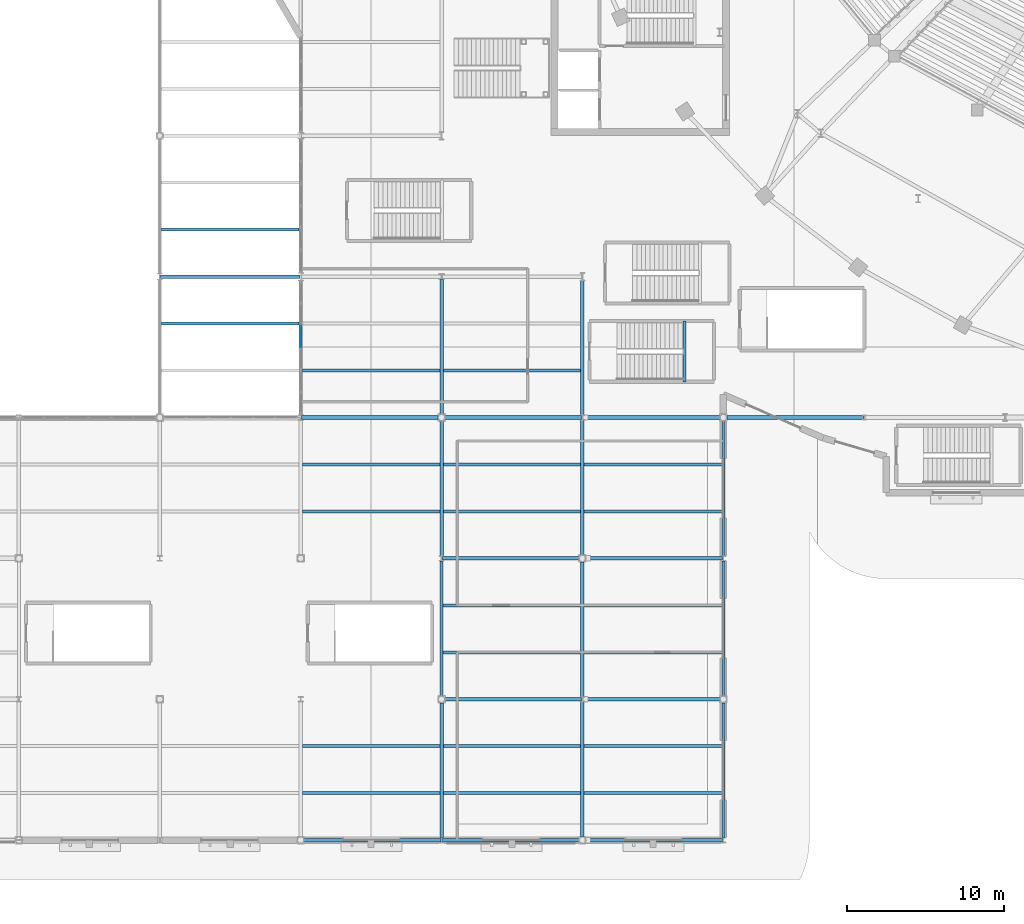
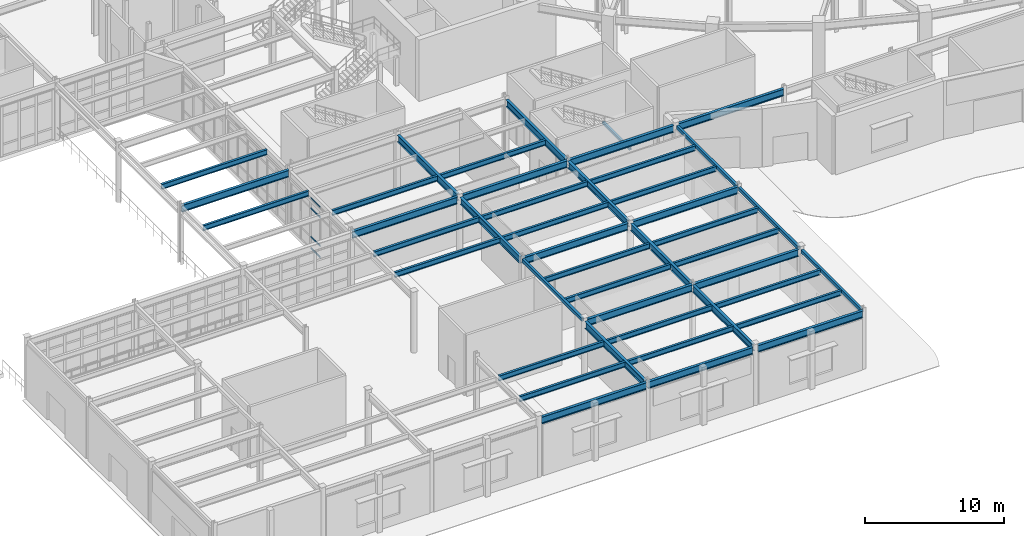
# One storey, part 27 of 79: 44 beams, 4 members, 1 element without a shape of its own.
"""IFC4 building model written with IfcOpenShell, lengths in metres."""

from ifc_helpers import new_model, si_unit, direction, frame, origin, origin_2d, place, context, subcontext, project, spatial, rectangle, hollow_rectangle, i_section, extrude, material, material_profile, profile_set, type_object, element, aggregate, save


model = new_model("IFC4")

# Units and contexts
model_context = context("Model", 3, precision=1e-05, world=origin(), true_north=direction((0.0, 1.0)))
body_context = subcontext(model_context, "Body", "Model", "MODEL_VIEW")
ifc_project = project(units=[si_unit("LENGTHUNIT", "METRE"), si_unit("AREAUNIT", "SQUARE_METRE"), si_unit("VOLUMEUNIT", "CUBIC_METRE"), si_unit("PLANEANGLEUNIT", "RADIAN"), si_unit("MASSUNIT", "GRAM", prefix="KILO")], contexts=[model_context])

# Site, building, storey
site_placement = place(None, origin())
site = spatial("IfcSite", under=ifc_project, at=site_placement, CompositionType="ELEMENT")
building_placement = place(site_placement, origin())
building = spatial("IfcBuilding", under=site, at=building_placement, Name="Glasvene Arena", CompositionType="ELEMENT")
storey_placement = place(building_placement, origin())
storey = spatial("IfcBuildingStorey", under=building, at=storey_placement, Name="L00", CompositionType="ELEMENT", Elevation=0.0)

# Beams
ifc_material_1 = material(Name="Steel S355J2", Category="steel")
ifc_material_profile_1 = material_profile(ifc_material_1, i_section(OverallWidth=0.228271484375, OverallDepth=0.607666015625, WebThickness=0.010986328125, FlangeThickness=0.017333984375, FilletRadius=0.0126953125, at=origin_2d()), Name="UKB 610x229x113")
ifc_profile_set_1 = profile_set([ifc_material_profile_1], Name="Steel S355J2")
beam_type_1 = type_object("IfcBeamType", Name="BM-GIRD-610", PredefinedType="BEAM", material=ifc_profile_set_1)
for number, where, z_axis, x_axis, name in (
    (1, (27.223388671875, 0.0, 4.816162109375), (1.0, 0.0, 0.0), (0.0, 1.0, 0.0), "Primary X girder L00-0283"),
    (2, (36.050048828125, 0.0, 4.816162109375), (1.0, 0.0, 0.0), (0.0, 1.0, 0.0), "Primary X girder L00-0284"),
    (3, (45.223388671875, 0.0, 4.816162109375), (1.0, 0.0, 0.0), (0.0, 1.0, 0.0), "Primary X girder L00-0285"),
    (4, (36.223388671875, 9.0, 4.816162109375), (1.0, 0.0, 0.0), (0.0, 1.0, 0.0), "Primary X girder L00-0287"),
    (5, (45.050048828125, 9.0, 4.816162109375), (1.0, 0.0, 0.0), (0.0, 1.0, 0.0), "Primary X girder L00-0288"),
    (6, (36.050048828125, 18.0, 4.816162109375), (1.0, 0.0, 0.0), (0.0, 1.0, 0.0), "Primary X girder L00-0290"),
    (7, (45.223388671875, 18.0, 4.816162109375), (1.0, 0.0, 0.0), (0.0, 1.0, 0.0), "Primary X girder L00-0291"),
    (8, (27.050048828125, 27.0, 4.816162109375), (1.0, 0.0, 0.0), (0.0, 1.0, 0.0), "Primary X girder L00-0295"),
    (9, (36.223388671875, 27.0, 4.816162109375), (1.0, 0.0, 0.0), (0.0, 1.0, 0.0), "Primary X girder L00-0296"),
    (10, (45.050048828125, 27.0, 4.816162109375), (1.0, 0.0, 0.0), (0.0, 1.0, 0.0), "Primary X girder L00-0297"),
    (11, (54.223388671875, 27.0, 4.816162109375), (1.0, 0.0, 0.0), (0.0, 1.0, 0.0), "Primary X girder L00-0298"),
):
    element("IfcBeam", number, at=place(storey_placement, frame(where, z_axis=z_axis, x_axis=x_axis)), inside=storey, type_object=beam_type_1, Name=name, PredefinedType="BEAM", context=body_context, shape_type="SweptSolid", body=[
        extrude(i_section(OverallWidth=0.228271484375, OverallDepth=0.607666015625, WebThickness=0.010986328125, FlangeThickness=0.017333984375, FilletRadius=0.0126953125, at=origin_2d()), origin(), (0.0, 0.0, 1.0), 8.7265625),
    ])
beam_1_placement = place(storey_placement, frame((18.050048828125, 36.0, 4.816162109375), z_axis=(1.0, 0.0, 0.0), x_axis=(0.0, 1.0, 0.0)))
element("IfcBeam", 12, at=beam_1_placement, inside=storey, type_object=beam_type_1, Name="Primary X girder L00-0302", PredefinedType="BEAM", context=body_context, shape_type="SweptSolid", body=[
    extrude(i_section(OverallWidth=0.228271484375, OverallDepth=0.607666015625, WebThickness=0.010986328125, FlangeThickness=0.017333984375, FilletRadius=0.0126953125, at=origin_2d()), origin(), (0.0, 0.0, 1.0), 8.89990234375),
])
for number, where, z_axis, x_axis, name in (
    (13, (36.0, 0.1552734375, 4.816162109375), (0.0, 1.0, 0.0), (-1.0, 0.0, 0.0), "Primary Y girder L00-0383"),
    (14, (36.0, 18.1552734375, 4.816162109375), (0.0, 1.0, 0.0), (-1.0, 0.0, 0.0), "Primary Y girder L00-0385"),
):
    element("IfcBeam", number, at=place(storey_placement, frame(where, z_axis=z_axis, x_axis=x_axis)), inside=storey, type_object=beam_type_1, Name=name, PredefinedType="BEAM", context=body_context, shape_type="SweptSolid", body=[
        extrude(i_section(OverallWidth=0.228271484375, OverallDepth=0.607666015625, WebThickness=0.010986328125, FlangeThickness=0.017333984375, FilletRadius=0.0126953125, at=origin_2d()), origin(), (0.0, 0.0, 1.0), 8.621337890625),
    ])
beam_2_placement = place(storey_placement, frame((36.0, 27.223388671875, 4.816162109375), z_axis=(0.0, 1.0, 0.0), x_axis=(-1.0, 0.0, 0.0)))
element("IfcBeam", 15, at=beam_2_placement, inside=storey, type_object=beam_type_1, Name="Primary Y girder L00-0386", PredefinedType="BEAM", context=body_context, shape_type="SweptSolid", body=[
    extrude(i_section(OverallWidth=0.228271484375, OverallDepth=0.607666015625, WebThickness=0.010986328125, FlangeThickness=0.017333984375, FilletRadius=0.0126953125, at=origin_2d()), origin(), (0.0, 0.0, 1.0), 8.597412109375),
])
for number, where, z_axis, x_axis, name in (
    (16, (45.0, 0.223388671875, 4.816162109375), (0.0, 1.0, 0.0), (-1.0, 0.0, 0.0), "Primary Y girder L00-0389"),
    (17, (45.0, 9.1552734375, 4.816162109375), (0.0, 1.0, 0.0), (-1.0, 0.0, 0.0), "Primary Y girder L00-0390"),
    (18, (45.0, 18.223388671875, 4.816162109375), (0.0, 1.0, 0.0), (-1.0, 0.0, 0.0), "Primary Y girder L00-0391"),
):
    element("IfcBeam", number, at=place(storey_placement, frame(where, z_axis=z_axis, x_axis=x_axis)), inside=storey, type_object=beam_type_1, Name=name, PredefinedType="BEAM", context=body_context, shape_type="SweptSolid", body=[
        extrude(i_section(OverallWidth=0.228271484375, OverallDepth=0.607666015625, WebThickness=0.010986328125, FlangeThickness=0.017333984375, FilletRadius=0.0126953125, at=origin_2d()), origin(), (0.0, 0.0, 1.0), 8.621337890625),
    ])
beam_3_placement = place(storey_placement, frame((45.0, 27.1552734375, 4.816162109375), z_axis=(0.0, 1.0, 0.0), x_axis=(-1.0, 0.0, 0.0)))
element("IfcBeam", 19, at=beam_3_placement, inside=storey, type_object=beam_type_1, Name="Primary Y girder L00-0392", PredefinedType="BEAM", context=body_context, shape_type="SweptSolid", body=[
    extrude(i_section(OverallWidth=0.228271484375, OverallDepth=0.607666015625, WebThickness=0.010986328125, FlangeThickness=0.017333984375, FilletRadius=0.0126953125, at=origin_2d()), origin(), (0.0, 0.0, 1.0), 8.599609375),
])
ifc_material_profile_2 = material_profile(ifc_material_1, i_section(OverallWidth=0.1904296875, OverallDepth=0.45703125, WebThickness=0.009033203125, FlangeThickness=0.014404296875, FilletRadius=0.01025390625, at=origin_2d()), Name="UKB 457x191x74")
ifc_profile_set_2 = profile_set([ifc_material_profile_2], Name="Steel S355J2")
beam_type_2 = type_object("IfcBeamType", Name="BM-JOIST-457", PredefinedType="JOIST", material=ifc_profile_set_2)
for number, where, z_axis, x_axis, name in (
    (20, (18.095947265625, 33.0, 4.8916015625), (1.0, 0.0, 0.0), (0.0, 1.0, 0.0), "Composite floor joist L00-0449"),
    (21, (18.095947265625, 39.0, 4.8916015625), (1.0, 0.0, 0.0), (0.0, 1.0, 0.0), "Composite floor joist L00-0450"),
):
    element("IfcBeam", number, at=place(storey_placement, frame(where, z_axis=z_axis, x_axis=x_axis)), inside=storey, type_object=beam_type_2, Name=name, PredefinedType="JOIST", context=body_context, shape_type="SweptSolid", body=[
        extrude(i_section(OverallWidth=0.1904296875, OverallDepth=0.45703125, WebThickness=0.009033203125, FlangeThickness=0.014404296875, FilletRadius=0.01025390625, at=origin_2d()), origin(), (0.0, 0.0, 1.0), 8.7939453125),
    ])
for number, where, z_axis, x_axis, name in (
    (22, (27.110107421875, 3.0, 4.8916015625), (1.0, 0.0, 0.0), (0.0, 1.0, 0.0), "Composite floor joist L00-0458"),
    (23, (27.110107421875, 6.0, 4.8916015625), (1.0, 0.0, 0.0), (0.0, 1.0, 0.0), "Composite floor joist L00-0459"),
    (24, (27.110107421875, 21.0, 4.8916015625), (1.0, 0.0, 0.0), (0.0, 1.0, 0.0), "Composite floor joist L00-0460"),
    (25, (27.110107421875, 24.0, 4.8916015625), (1.0, 0.0, 0.0), (0.0, 1.0, 0.0), "Composite floor joist L00-0461"),
    (26, (27.110107421875, 30.0, 4.8916015625), (1.0, 0.0, 0.0), (0.0, 1.0, 0.0), "Composite floor joist L00-0462"),
    (27, (36.110107421875, 3.0, 4.8916015625), (1.0, 0.0, 0.0), (0.0, 1.0, 0.0), "Composite floor joist L00-0468"),
    (28, (36.110107421875, 6.0, 4.8916015625), (1.0, 0.0, 0.0), (0.0, 1.0, 0.0), "Composite floor joist L00-0469"),
):
    element("IfcBeam", number, at=place(storey_placement, frame(where, z_axis=z_axis, x_axis=x_axis)), inside=storey, type_object=beam_type_2, Name=name, PredefinedType="JOIST", context=body_context, shape_type="SweptSolid", body=[
        extrude(i_section(OverallWidth=0.1904296875, OverallDepth=0.45703125, WebThickness=0.009033203125, FlangeThickness=0.014404296875, FilletRadius=0.01025390625, at=origin_2d()), origin(), (0.0, 0.0, 1.0), 8.77978515625),
    ])
for number, where, z_axis, x_axis, name in (
    (29, (36.095947265625, 12.0, 4.8916015625), (1.0, 0.0, 0.0), (0.0, 1.0, 0.0), "Composite floor joist L00-0470"),
    (30, (36.095947265625, 15.0, 4.8916015625), (1.0, 0.0, 0.0), (0.0, 1.0, 0.0), "Composite floor joist L00-0471"),
):
    element("IfcBeam", number, at=place(storey_placement, frame(where, z_axis=z_axis, x_axis=x_axis)), inside=storey, type_object=beam_type_2, Name=name, PredefinedType="JOIST", context=body_context, shape_type="SweptSolid", body=[
        extrude(i_section(OverallWidth=0.1904296875, OverallDepth=0.45703125, WebThickness=0.009033203125, FlangeThickness=0.014404296875, FilletRadius=0.01025390625, at=origin_2d()), origin(), (0.0, 0.0, 1.0), 8.7939453125),
    ])
for number, where, z_axis, x_axis, name in (
    (31, (36.110107421875, 21.0, 4.8916015625), (1.0, 0.0, 0.0), (0.0, 1.0, 0.0), "Composite floor joist L00-0472"),
    (32, (36.110107421875, 24.0, 4.8916015625), (1.0, 0.0, 0.0), (0.0, 1.0, 0.0), "Composite floor joist L00-0473"),
    (33, (36.110107421875, 30.0, 4.8916015625), (1.0, 0.0, 0.0), (0.0, 1.0, 0.0), "Composite floor joist L00-0474"),
):
    element("IfcBeam", number, at=place(storey_placement, frame(where, z_axis=z_axis, x_axis=x_axis)), inside=storey, type_object=beam_type_2, Name=name, PredefinedType="JOIST", context=body_context, shape_type="SweptSolid", body=[
        extrude(i_section(OverallWidth=0.1904296875, OverallDepth=0.45703125, WebThickness=0.009033203125, FlangeThickness=0.014404296875, FilletRadius=0.01025390625, at=origin_2d()), origin(), (0.0, 0.0, 1.0), 8.77978515625),
    ])
for number, where, z_axis, x_axis, name in (
    (34, (45.110107421875, 3.0, 4.8916015625), (1.0, 0.0, 0.0), (0.0, 1.0, 0.0), "Composite floor joist L00-0478"),
    (35, (45.110107421875, 6.0, 4.8916015625), (1.0, 0.0, 0.0), (0.0, 1.0, 0.0), "Composite floor joist L00-0479"),
    (36, (45.110107421875, 12.0, 4.8916015625), (1.0, 0.0, 0.0), (0.0, 1.0, 0.0), "Composite floor joist L00-0480"),
    (37, (45.110107421875, 15.0, 4.8916015625), (1.0, 0.0, 0.0), (0.0, 1.0, 0.0), "Composite floor joist L00-0481"),
    (38, (45.110107421875, 21.0, 4.8916015625), (1.0, 0.0, 0.0), (0.0, 1.0, 0.0), "Composite floor joist L00-0482"),
    (39, (45.110107421875, 24.0, 4.8916015625), (1.0, 0.0, 0.0), (0.0, 1.0, 0.0), "Composite floor joist L00-0483"),
):
    element("IfcBeam", number, at=place(storey_placement, frame(where, z_axis=z_axis, x_axis=x_axis)), inside=storey, type_object=beam_type_2, Name=name, PredefinedType="JOIST", context=body_context, shape_type="SweptSolid", body=[
        extrude(i_section(OverallWidth=0.1904296875, OverallDepth=0.45703125, WebThickness=0.009033203125, FlangeThickness=0.014404296875, FilletRadius=0.01025390625, at=origin_2d()), origin(), (0.0, 0.0, 1.0), 8.7939453125),
    ])
ifc_material_profile_3 = material_profile(ifc_material_1, hollow_rectangle(XDim=0.199951171875, YDim=0.199951171875, WallThickness=0.010009765625, at=origin_2d()), Name="SHS 200x200x10.0")
ifc_profile_set_3 = profile_set([ifc_material_profile_3], Name="Steel S355J2")
beam_type_3 = type_object("IfcBeamType", Name="BM-LINTEL-200", PredefinedType="LINTEL", material=ifc_profile_set_3)
beam_4_placement = place(storey_placement, frame((51.52001953125, 29.280029296875, 2.3798828125), z_axis=(0.0, 1.0, 0.0), x_axis=(-1.0, 0.0, 0.0)))
element("IfcBeam", 40, at=beam_4_placement, inside=storey, type_object=beam_type_3, Name="Stair half-landing support beam ST-16-L00", PredefinedType="LINTEL", context=body_context, shape_type="SweptSolid", body=[
    extrude(hollow_rectangle(XDim=0.199951171875, YDim=0.199951171875, WallThickness=0.010009765625, at=origin_2d()), origin(), (0.0, 0.0, 1.0), 3.889892578125),
])
ifc_material_profile_4 = material_profile(ifc_material_1, hollow_rectangle(XDim=0.199951171875, YDim=0.300048828125, WallThickness=0.012451171875, at=origin_2d()), Name="RHS 300x200x12.5")
ifc_profile_set_4 = profile_set([ifc_material_profile_4], Name="Steel S355J2")
beam_type_4 = type_object("IfcBeamType", Name="BM-SPAND-300", PredefinedType="SPANDREL", material=ifc_profile_set_4)
for number, where, z_axis, x_axis, name in (
    (41, (36.0, 9.223388671875, 4.969970703125), (0.0, 1.0, 0.0), (-1.0, 0.0, 0.0), "Primary Y girder L00-0384"),
    (42, (54.0, 0.1552734375, 4.969970703125), (0.0, 1.0, 0.0), (-1.0, 0.0, 0.0), "Primary Y girder L00-0394"),
    (43, (54.0, 9.223388671875, 4.969970703125), (0.0, 1.0, 0.0), (-1.0, 0.0, 0.0), "Primary Y girder L00-0395"),
    (44, (54.0, 18.1552734375, 4.969970703125), (0.0, 1.0, 0.0), (-1.0, 0.0, 0.0), "Primary Y girder L00-0396"),
):
    element("IfcBeam", number, at=place(storey_placement, frame(where, z_axis=z_axis, x_axis=x_axis)), inside=storey, type_object=beam_type_4, Name=name, PredefinedType="SPANDREL", context=body_context, shape_type="SweptSolid", body=[
        extrude(hollow_rectangle(XDim=0.199951171875, YDim=0.300048828125, WallThickness=0.012451171875, at=origin_2d()), origin(), (0.0, 0.0, 1.0), 8.621337890625),
    ])

# Curtain wall, members
ifc_material_2 = material(Name="Low-emissivity laminated double glazing", Category="glass")
curtain_wall_type = type_object("IfcCurtainWallType", Name="CW-FAC-L00-851x445", PredefinedType="USERDEFINED", material=ifc_material_2)
curtain_wall_placement = place(storey_placement, frame((27.0, 27.202392578125, 0.0)))
curtain_wall = element("IfcCurtainWall", 45, at=curtain_wall_placement, inside=storey, type_object=curtain_wall_type, Name="Unitised curtain wall CW-F-L00-180-270-315-81", ObjectType="CURTAIN WALL", PredefinedType="USERDEFINED")
ifc_material_3 = material(Name="Anodised architectural aluminium", Category="aluminium")
ifc_material_profile_5 = material_profile(ifc_material_3, rectangle(XDim=0.050048828125, YDim=0.14990234375, at=origin_2d()), Name="ALU TRANSOM 50x150")
ifc_profile_set_5 = profile_set([ifc_material_profile_5], Name="Anodised architectural aluminium")
member_type = type_object("IfcMemberType", Name="CW-TRN-150", PredefinedType="USERDEFINED", material=ifc_profile_set_5)
member_1_placement = place(storey_placement, frame((27.0, 31.480224609375, 0.0849609375), z_axis=(0.0, 1.0, 0.0), x_axis=(-1.0, 0.0, 0.0)))
member_1 = element("IfcMember", 46, at=member_1_placement, type_object=member_type, Name="CW-004 transom 4.1", ObjectType="TRANSOM", PredefinedType="USERDEFINED", context=body_context, shape_type="SweptSolid", body=[
    extrude(rectangle(XDim=0.050048828125, YDim=0.14990234375, at=origin_2d()), origin(), (0.0, 0.0, 1.0), 1.367431640625),
])
member_2_placement = place(storey_placement, frame((27.0, 31.480224609375, 1.10009765625), z_axis=(0.0, 1.0, 0.0), x_axis=(-1.0, 0.0, 0.0)))
member_2 = element("IfcMember", 47, at=member_2_placement, type_object=member_type, Name="CW-004 transom 4.2", ObjectType="TRANSOM", PredefinedType="USERDEFINED", context=body_context, shape_type="SweptSolid", body=[
    extrude(rectangle(XDim=0.050048828125, YDim=0.14990234375, at=origin_2d()), origin(), (0.0, 0.0, 1.0), 1.367431640625),
])
member_3_placement = place(storey_placement, frame((27.0, 31.480224609375, 3.60693359375), z_axis=(0.0, 1.0, 0.0), x_axis=(-1.0, 0.0, 0.0)))
member_3 = element("IfcMember", 48, at=member_3_placement, type_object=member_type, Name="CW-004 transom 4.3", ObjectType="TRANSOM", PredefinedType="USERDEFINED", context=body_context, shape_type="SweptSolid", body=[
    extrude(rectangle(XDim=0.050048828125, YDim=0.14990234375, at=origin_2d()), origin(), (0.0, 0.0, 1.0), 1.367431640625),
])
member_4_placement = place(storey_placement, frame((27.0, 31.480224609375, 4.48193359375), z_axis=(0.0, 1.0, 0.0), x_axis=(-1.0, 0.0, 0.0)))
member_4 = element("IfcMember", 49, at=member_4_placement, type_object=member_type, Name="CW-004 transom 4.4", ObjectType="TRANSOM", PredefinedType="USERDEFINED", context=body_context, shape_type="SweptSolid", body=[
    extrude(rectangle(XDim=0.050048828125, YDim=0.14990234375, at=origin_2d()), origin(), (0.0, 0.0, 1.0), 1.367431640625),
])
aggregate(curtain_wall, [member_1, member_2, member_3, member_4])

save(model, "model.ifc")
